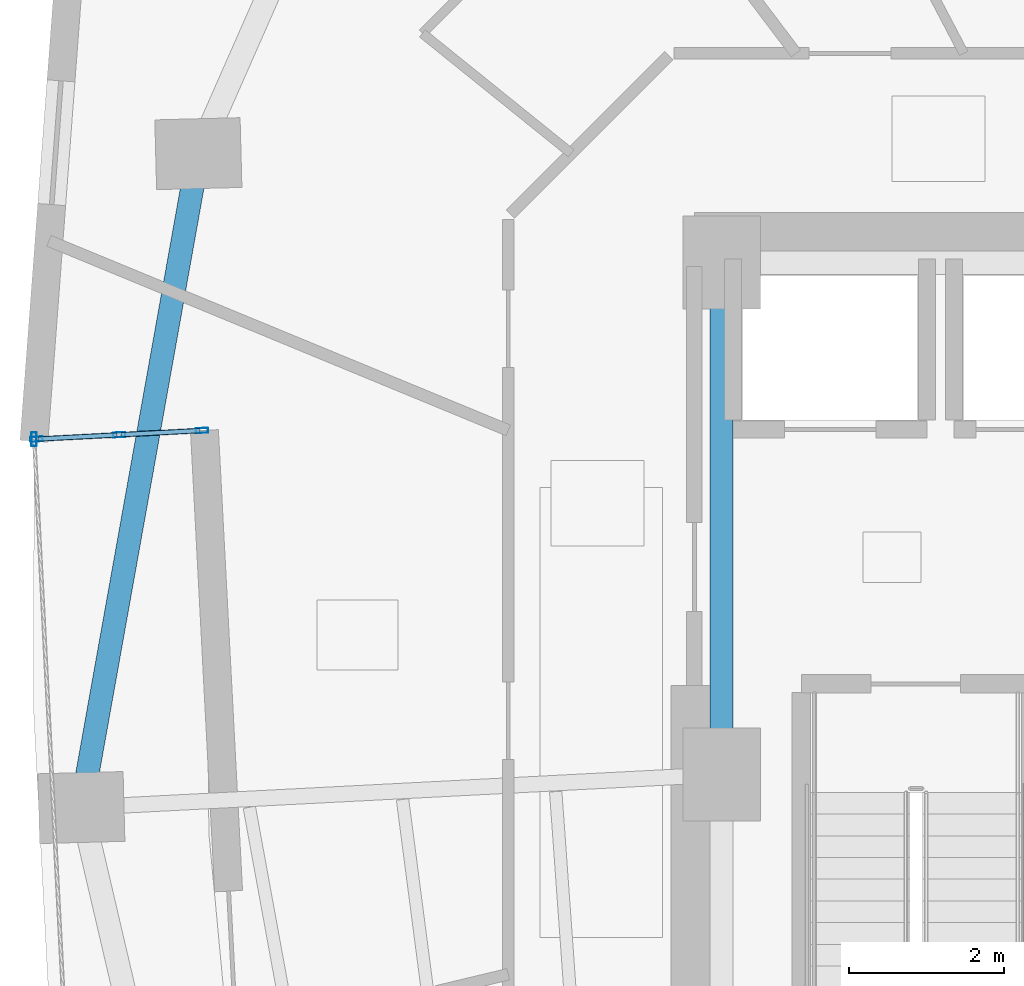
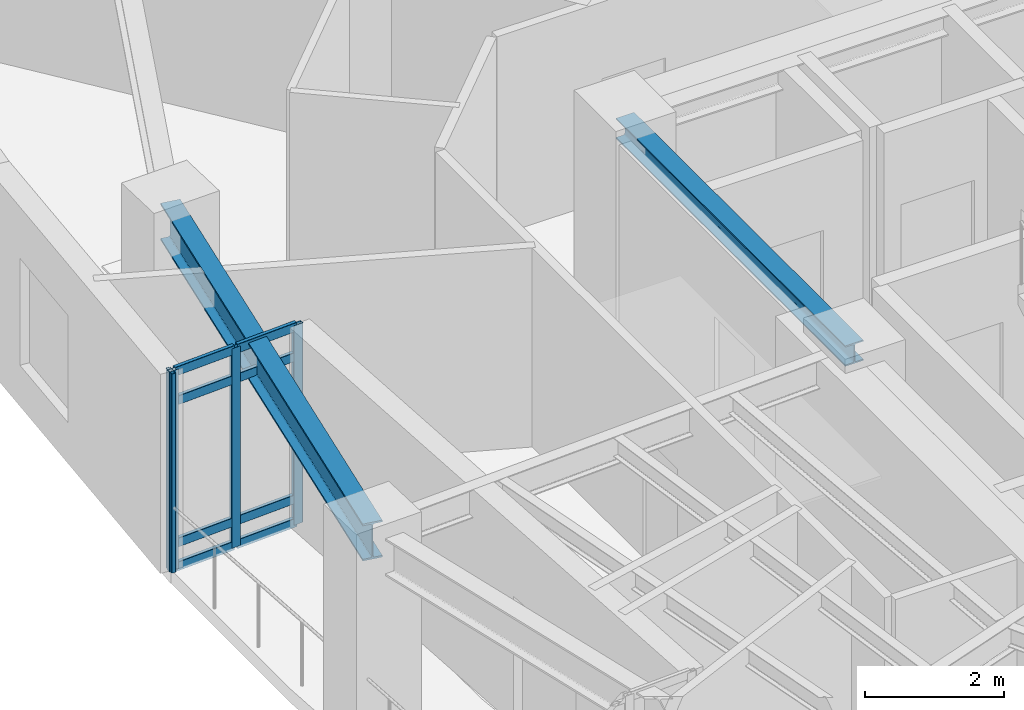
# One storey, part 3 of 13: 12 members, 2 beams, 1 element without a shape of its own.
"""IFC4 building model written with IfcOpenShell, lengths in metres."""

from ifc_helpers import new_model, si_unit, direction, frame, origin, origin_2d, place, context, subcontext, project, spatial, hollow_rectangle, i_section, extrude, material, layer, layer_set, material_profile, profile_set, type_object, element, aggregate, save


model = new_model("IFC4")

# Units and contexts
model_context = context("Model", 3, precision=1e-05, world=origin(), true_north=direction((0.0, 1.0)))
body_context = subcontext(model_context, "Body", "Model", "MODEL_VIEW")
ifc_project = project(units=[si_unit("LENGTHUNIT", "METRE"), si_unit("AREAUNIT", "SQUARE_METRE"), si_unit("VOLUMEUNIT", "CUBIC_METRE"), si_unit("PLANEANGLEUNIT", "RADIAN"), si_unit("MASSUNIT", "GRAM", prefix="KILO")], contexts=[model_context])

# Site, building, storey
site_placement = place(None, origin())
site = spatial("IfcSite", under=ifc_project, at=site_placement, CompositionType="ELEMENT")
building_placement = place(site_placement, origin())
building = spatial("IfcBuilding", under=site, at=building_placement, Name="Ndelora Gate Hotel", CompositionType="ELEMENT")
storey_placement = place(building_placement, frame((0.0, 0.0, 134.75)))
storey = spatial("IfcBuildingStorey", under=building, at=storey_placement, Name="L33", CompositionType="ELEMENT", Elevation=134.75)

# Beams
ifc_material_1 = material(Name="Steel S355", Category="steel")
ifc_material_profile_1 = material_profile(ifc_material_1, i_section(OverallWidth=0.300048828125, OverallDepth=0.360107421875, WebThickness=0.012451171875, FlangeThickness=0.0224609375, FilletRadius=0.027099609375, at=origin_2d()), Name="HEB 360")
ifc_profile_set_1 = profile_set([ifc_material_profile_1], Name="Steel S355")
beam_type_1 = type_object("IfcBeamType", Name="BM-CORE-360", PredefinedType="BEAM", material=ifc_profile_set_1)
beam_1_placement = place(storey_placement, frame((-8.0, 0.0, 3.320068359375), z_axis=(0.0, 1.0, 0.0), x_axis=(-1.0, 0.0, 0.0)))
element("IfcBeam", 1, at=beam_1_placement, inside=storey, type_object=beam_type_1, Name="L33 Core Tie Girder CC8-CC7", PredefinedType="BEAM", context=body_context, shape_type="SweptSolid", body=[
    extrude(i_section(OverallWidth=0.300048828125, OverallDepth=0.360107421875, WebThickness=0.012451171875, FlangeThickness=0.0224609375, FilletRadius=0.027099609375, at=origin_2d()), origin(), (0.0, 0.0, 1.0), 6.60009765625),
])
ifc_material_profile_2 = material_profile(ifc_material_1, i_section(OverallWidth=0.300048828125, OverallDepth=0.64990234375, WebThickness=0.01611328125, FlangeThickness=0.031005859375, FilletRadius=0.027099609375, at=origin_2d()), Name="HEB 650")
ifc_profile_set_2 = profile_set([ifc_material_profile_2], Name="Steel S355")
beam_type_2 = type_object("IfcBeamType", Name="BM-RING-650", PredefinedType="SPANDREL", material=ifc_profile_set_2)
beam_2_placement = place(storey_placement, frame((-14.74658203125, 8.006591796875, 3.175048828125), z_axis=(-0.176130938817, -0.984366746894, 0.0), x_axis=(0.984366746894, -0.176130938817, 0.0)))
element("IfcBeam", 2, at=beam_2_placement, inside=storey, type_object=beam_type_2, Name="L33 Perimeter Spandrel Girder 2", PredefinedType="SPANDREL", context=body_context, shape_type="SweptSolid", body=[
    extrude(i_section(OverallWidth=0.300048828125, OverallDepth=0.64990234375, WebThickness=0.01611328125, FlangeThickness=0.031005859375, FilletRadius=0.027099609375, at=origin_2d()), origin(), (0.0, 0.0, 1.0), 8.56640625),
])

# Curtain wall, members
ifc_material_2 = material(Name="Bronze Anodised Unitised Aluminium and Low-E Glass", Category="aluminium")
ifc_layer = layer(ifc_material_2, 0.199951171875)
ifc_layer_set = layer_set([ifc_layer], Name="Bronze Anodised Unitised Aluminium and Low-E Glass")
curtain_wall_type = type_object("IfcCurtainWallType", Name="CW-SYS-3", PredefinedType="NOTDEFINED", material=ifc_layer_set)
curtain_wall_placement = place(storey_placement, origin())
curtain_wall = element("IfcCurtainWall", 3, at=curtain_wall_placement, inside=storey, type_object=curtain_wall_type, Name="L33 Sky-Garden Loggia Side Curtain Wall CW3-1", PredefinedType="NOTDEFINED")
ifc_material_3 = material(Name="Bronze Anodised Aluminium 6063-T6", Category="aluminium")
ifc_material_profile_3 = material_profile(ifc_material_3, hollow_rectangle(XDim=0.06494140625, YDim=0.159912109375, WallThickness=0.00390625, InnerFilletRadius=0.00390625, OuterFilletRadius=0.008056640625, at=origin_2d()), Name="ALU 160x65x4")
ifc_profile_set_3 = profile_set([ifc_material_profile_3], Name="Bronze Anodised Aluminium 6063-T6")
member_type_1 = type_object("IfcMemberType", Name="MB-CW-MUL150", PredefinedType="MULLION", material=ifc_profile_set_3)
member_1_placement = place(storey_placement, frame((-14.700439453125, 4.436767578125, -0.00390625), z_axis=(0.0, 0.0, 1.0), x_axis=(0.052317873695, -0.998630482257, 0.0)))
member_1 = element("IfcMember", 4, at=member_1_placement, type_object=member_type_1, Name="CW3 mullion 1", PredefinedType="MULLION", context=body_context, shape_type="SweptSolid", body=[
    extrude(hollow_rectangle(XDim=0.06494140625, YDim=0.159912109375, WallThickness=0.00390625, InnerFilletRadius=0.00390625, OuterFilletRadius=0.008056640625, at=origin_2d()), origin(), (0.0, 0.0, 1.0), 3.5078125),
])
member_2_placement = place(storey_placement, frame((-15.7666015625, 4.380859375, -0.00390625), z_axis=(0.0, 0.0, 1.0), x_axis=(0.052317873695, -0.998630482257, 0.0)))
member_2 = element("IfcMember", 5, at=member_2_placement, type_object=member_type_1, Name="CW3 mullion 2", PredefinedType="MULLION", context=body_context, shape_type="SweptSolid", body=[
    extrude(hollow_rectangle(XDim=0.06494140625, YDim=0.159912109375, WallThickness=0.00390625, InnerFilletRadius=0.00390625, OuterFilletRadius=0.008056640625, at=origin_2d()), origin(), (0.0, 0.0, 1.0), 3.5078125),
])
member_3_placement = place(storey_placement, frame((-16.83251953125, 4.324951171875, -0.00390625), z_axis=(0.0, 0.0, 1.0), x_axis=(0.052317873695, -0.998630482257, 0.0)))
member_3 = element("IfcMember", 6, at=member_3_placement, type_object=member_type_1, Name="CW3 mullion 3", PredefinedType="MULLION", context=body_context, shape_type="SweptSolid", body=[
    extrude(hollow_rectangle(XDim=0.06494140625, YDim=0.159912109375, WallThickness=0.00390625, InnerFilletRadius=0.00390625, OuterFilletRadius=0.008056640625, at=origin_2d()), origin(), (0.0, 0.0, 1.0), 3.5078125),
])
ifc_material_profile_4 = material_profile(ifc_material_3, hollow_rectangle(XDim=0.070068359375, YDim=0.179931640625, WallThickness=0.0048828125, InnerFilletRadius=0.0048828125, OuterFilletRadius=0.010009765625, at=origin_2d()), Name="ALU 180x70x5")
ifc_profile_set_4 = profile_set([ifc_material_profile_4], Name="Bronze Anodised Aluminium 6063-T6")
member_type_2 = type_object("IfcMemberType", Name="MB-CW-MUL180", PredefinedType="MULLION", material=ifc_profile_set_4)
member_4_placement = place(storey_placement, frame((-16.864990234375, 4.3232421875, 0.0), z_axis=(0.0, 0.0, 1.0), x_axis=(1.0, 0.0, 0.0)))
member_4 = element("IfcMember", 7, at=member_4_placement, type_object=member_type_2, Name="L33 Sky-Garden Loggia Corner Mullion Post 1", PredefinedType="MULLION", context=body_context, shape_type="SweptSolid", body=[
    extrude(hollow_rectangle(XDim=0.070068359375, YDim=0.179931640625, WallThickness=0.0048828125, InnerFilletRadius=0.0048828125, OuterFilletRadius=0.010009765625, at=origin_2d()), origin(), (0.0, 0.0, 1.0), 3.5),
])
ifc_material_profile_5 = material_profile(ifc_material_3, hollow_rectangle(XDim=0.06494140625, YDim=0.159912109375, WallThickness=0.00390625, InnerFilletRadius=0.00390625, OuterFilletRadius=0.008056640625, at=origin_2d()), Name="ALU 160x65x4")
ifc_profile_set_5 = profile_set([ifc_material_profile_5], Name="Bronze Anodised Aluminium 6063-T6")
member_type_3 = type_object("IfcMemberType", Name="MB-CW-TRN150", PredefinedType="USERDEFINED", material=ifc_profile_set_5)
member_5_placement = place(storey_placement, frame((-14.726806640625, 4.435302734375, 0.032470703125), z_axis=(-0.998635719031, -0.052217819525, 0.0), x_axis=(0.052217819525, -0.998635719031, 0.0)))
member_5 = element("IfcMember", 8, at=member_5_placement, type_object=member_type_3, Name="CW3 transom 1.1", ObjectType="TRANSOM", PredefinedType="USERDEFINED", context=body_context, shape_type="SweptSolid", body=[
    extrude(hollow_rectangle(XDim=0.06494140625, YDim=0.159912109375, WallThickness=0.00390625, InnerFilletRadius=0.00390625, OuterFilletRadius=0.008056640625, at=origin_2d()), origin(), (0.0, 0.0, 1.0), 1.0146484375),
])
member_6_placement = place(storey_placement, frame((-14.726806640625, 4.435302734375, 0.449951171875), z_axis=(-0.998635719031, -0.052217819525, 0.0), x_axis=(0.052217819525, -0.998635719031, 0.0)))
member_6 = element("IfcMember", 9, at=member_6_placement, type_object=member_type_3, Name="CW3 transom 1.2", ObjectType="TRANSOM", PredefinedType="USERDEFINED", context=body_context, shape_type="SweptSolid", body=[
    extrude(hollow_rectangle(XDim=0.06494140625, YDim=0.159912109375, WallThickness=0.00390625, InnerFilletRadius=0.00390625, OuterFilletRadius=0.008056640625, at=origin_2d()), origin(), (0.0, 0.0, 1.0), 1.0146484375),
])
member_7_placement = place(storey_placement, frame((-14.726806640625, 4.435302734375, 2.949951171875), z_axis=(-0.998635719031, -0.052217819525, 0.0), x_axis=(0.052217819525, -0.998635719031, 0.0)))
member_7 = element("IfcMember", 10, at=member_7_placement, type_object=member_type_3, Name="CW3 transom 1.3", ObjectType="TRANSOM", PredefinedType="USERDEFINED", context=body_context, shape_type="SweptSolid", body=[
    extrude(hollow_rectangle(XDim=0.06494140625, YDim=0.159912109375, WallThickness=0.00390625, InnerFilletRadius=0.00390625, OuterFilletRadius=0.008056640625, at=origin_2d()), origin(), (0.0, 0.0, 1.0), 1.0146484375),
])
member_8_placement = place(storey_placement, frame((-14.726806640625, 4.435302734375, 3.467529296875), z_axis=(-0.998635719031, -0.052217819525, 0.0), x_axis=(0.052217819525, -0.998635719031, 0.0)))
member_8 = element("IfcMember", 11, at=member_8_placement, type_object=member_type_3, Name="CW3 transom 1.4", ObjectType="TRANSOM", PredefinedType="USERDEFINED", context=body_context, shape_type="SweptSolid", body=[
    extrude(hollow_rectangle(XDim=0.06494140625, YDim=0.159912109375, WallThickness=0.00390625, InnerFilletRadius=0.00390625, OuterFilletRadius=0.008056640625, at=origin_2d()), origin(), (0.0, 0.0, 1.0), 1.0146484375),
])
member_9_placement = place(storey_placement, frame((-15.79296875, 4.37939453125, 0.032470703125), z_axis=(-0.998635719031, -0.052217819525, 0.0), x_axis=(0.052217819525, -0.998635719031, 0.0)))
member_9 = element("IfcMember", 12, at=member_9_placement, type_object=member_type_3, Name="CW3 transom 2.1", ObjectType="TRANSOM", PredefinedType="USERDEFINED", context=body_context, shape_type="SweptSolid", body=[
    extrude(hollow_rectangle(XDim=0.06494140625, YDim=0.159912109375, WallThickness=0.00390625, InnerFilletRadius=0.00390625, OuterFilletRadius=0.008056640625, at=origin_2d()), origin(), (0.0, 0.0, 1.0), 1.0146484375),
])
member_10_placement = place(storey_placement, frame((-15.79296875, 4.37939453125, 0.449951171875), z_axis=(-0.998635719031, -0.052217819525, 0.0), x_axis=(0.052217819525, -0.998635719031, 0.0)))
member_10 = element("IfcMember", 13, at=member_10_placement, type_object=member_type_3, Name="CW3 transom 2.2", ObjectType="TRANSOM", PredefinedType="USERDEFINED", context=body_context, shape_type="SweptSolid", body=[
    extrude(hollow_rectangle(XDim=0.06494140625, YDim=0.159912109375, WallThickness=0.00390625, InnerFilletRadius=0.00390625, OuterFilletRadius=0.008056640625, at=origin_2d()), origin(), (0.0, 0.0, 1.0), 1.0146484375),
])
member_11_placement = place(storey_placement, frame((-15.79296875, 4.37939453125, 2.949951171875), z_axis=(-0.998635719031, -0.052217819525, 0.0), x_axis=(0.052217819525, -0.998635719031, 0.0)))
member_11 = element("IfcMember", 14, at=member_11_placement, type_object=member_type_3, Name="CW3 transom 2.3", ObjectType="TRANSOM", PredefinedType="USERDEFINED", context=body_context, shape_type="SweptSolid", body=[
    extrude(hollow_rectangle(XDim=0.06494140625, YDim=0.159912109375, WallThickness=0.00390625, InnerFilletRadius=0.00390625, OuterFilletRadius=0.008056640625, at=origin_2d()), origin(), (0.0, 0.0, 1.0), 1.0146484375),
])
member_12_placement = place(storey_placement, frame((-15.79296875, 4.37939453125, 3.467529296875), z_axis=(-0.998635719031, -0.052217819525, 0.0), x_axis=(0.052217819525, -0.998635719031, 0.0)))
member_12 = element("IfcMember", 15, at=member_12_placement, type_object=member_type_3, Name="CW3 transom 2.4", ObjectType="TRANSOM", PredefinedType="USERDEFINED", context=body_context, shape_type="SweptSolid", body=[
    extrude(hollow_rectangle(XDim=0.06494140625, YDim=0.159912109375, WallThickness=0.00390625, InnerFilletRadius=0.00390625, OuterFilletRadius=0.008056640625, at=origin_2d()), origin(), (0.0, 0.0, 1.0), 1.0146484375),
])
aggregate(curtain_wall, [member_1, member_2, member_3, member_5, member_6, member_7, member_8, member_9, member_10, member_11, member_12, member_4])

save(model, "model.ifc")
